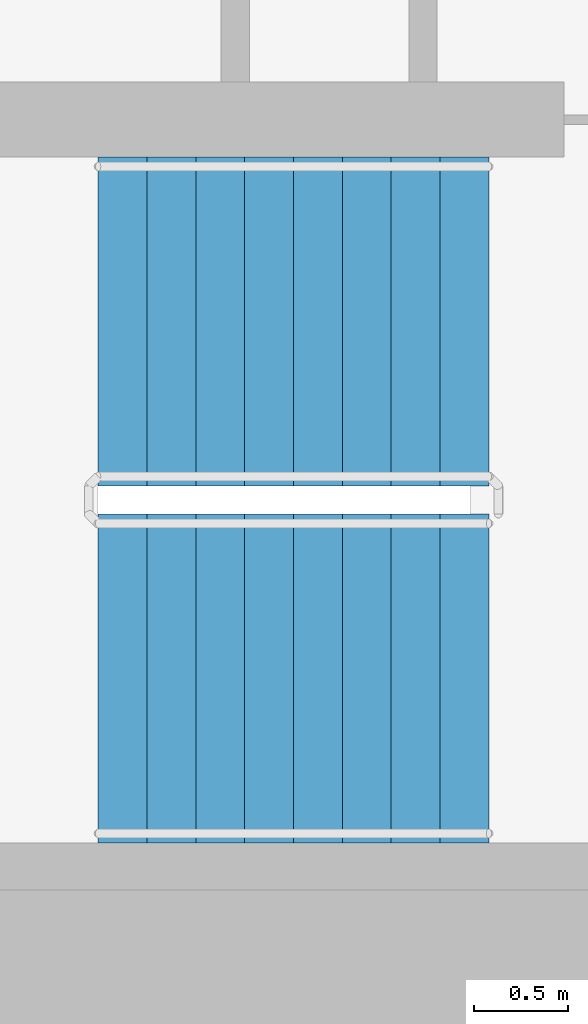
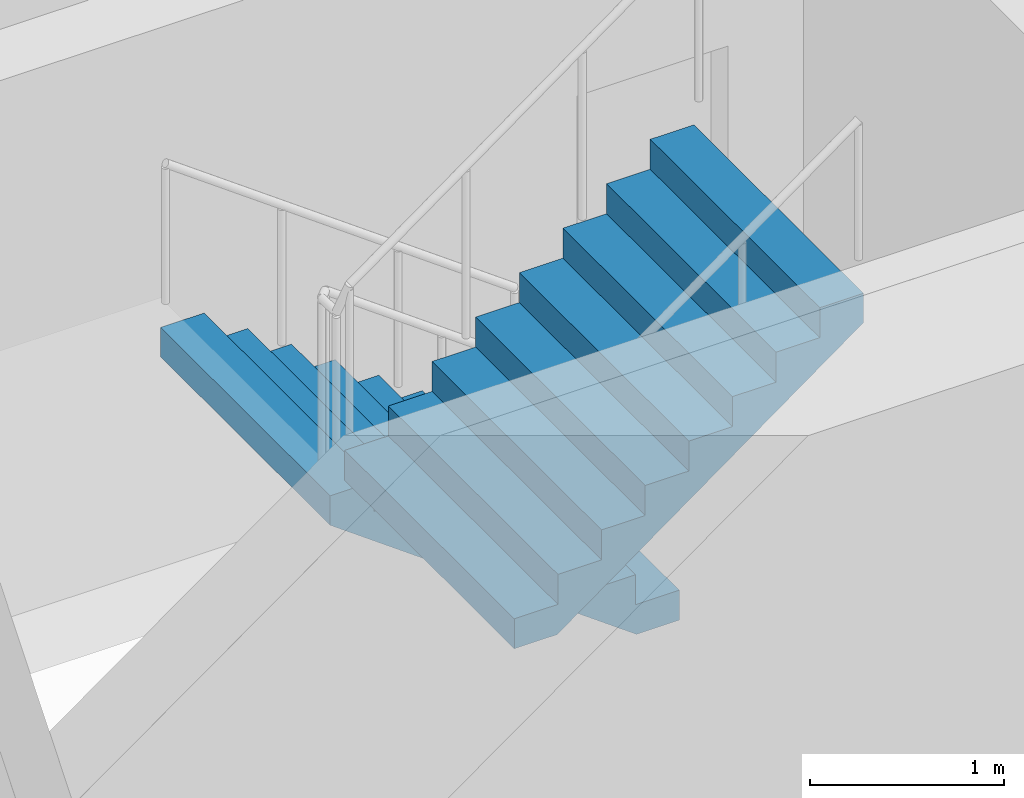
# One storey, part 15 of 21: 2 stair flights, 1 element without a shape of its own.
"""IFC4 building model written with IfcOpenShell, lengths in metres."""

from ifc_helpers import new_model, si_unit, direction, frame, origin, place, context, subcontext, project, spatial, faceted_brep, material, type_object, element, aggregate, save


model = new_model("IFC4")

# Units and contexts
model_context = context("Model", 3, precision=1e-05, world=origin(), true_north=direction((0.0, 1.0)))
body_context = subcontext(model_context, "Body", "Model", "MODEL_VIEW")
ifc_project = project(units=[si_unit("LENGTHUNIT", "METRE"), si_unit("AREAUNIT", "SQUARE_METRE"), si_unit("VOLUMEUNIT", "CUBIC_METRE"), si_unit("PLANEANGLEUNIT", "RADIAN"), si_unit("MASSUNIT", "GRAM", prefix="KILO")], contexts=[model_context])

# Site, building, storey
site_placement = place(None, origin())
site = spatial("IfcSite", under=ifc_project, at=site_placement, CompositionType="ELEMENT")
building_placement = place(site_placement, origin())
building = spatial("IfcBuilding", under=site, at=building_placement, Name="Ipe Terrace Towers", CompositionType="ELEMENT")
storey_placement = place(building_placement, frame((0.0, 0.0, 117.39990234375)))
storey = spatial("IfcBuildingStorey", under=building, at=storey_placement, Name="L32", CompositionType="ELEMENT", Elevation=117.39990234375)

# Stair, stair flights
ifc_material_1 = material(Name="Concrete C30/37", Category="concrete")
stair_type = type_object("IfcStairType", Name="Protected exit stair", PredefinedType="HALF_TURN_STAIR", material=ifc_material_1)
stair_placement = place(storey_placement, origin())
stair = element("IfcStair", 1, at=stair_placement, inside=storey, type_object=stair_type, Name="L32 Exit stair T1-C2", PredefinedType="HALF_TURN_STAIR")
ifc_material_2 = material(Name="Concrete C30/37", Category="concrete")
stair_flight_type = type_object("IfcStairFlightType", Name="Exit stair flight 1750", PredefinedType="STRAIGHT", material=ifc_material_2)
stair_flight_1_placement = place(storey_placement, frame((-45.699951171875, -2.77490234375, 0.0), z_axis=(0.0, 0.0, 1.0), x_axis=(-1.0, 0.0, 0.0)))
stair_flight_1 = element("IfcStairFlight", 2, at=stair_flight_1_placement, type_object=stair_flight_type, Name="T1-ST2 flight 1", NumberOfRisers=9, NumberOfTreads=8, PredefinedType="STRAIGHT", RiserHeight=0.188888889, TreadLength=0.26, context=body_context, shape_type="Brep", body=[
    faceted_brep([(0.255126953125, -0.875, 0.0), (2.080078125, -0.875, 1.325927734375), (2.080078125, -0.875, 1.51123046875), (1.820068359375, -0.875, 1.51123046875), (1.820068359375, -0.875, 1.322265625), (1.56005859375, -0.875, 1.322265625), (1.56005859375, -0.875, 1.13330078125), (1.300048828125, -0.875, 1.13330078125), (1.300048828125, -0.875, 0.9443359375), (1.0400390625, -0.875, 0.9443359375), (1.0400390625, -0.875, 0.755615234375), (0.780029296875, -0.875, 0.755615234375), (0.780029296875, -0.875, 0.566650390625), (0.52001953125, -0.875, 0.566650390625), (0.52001953125, -0.875, 0.377685546875), (0.260009765625, -0.875, 0.377685546875), (0.260009765625, -0.875, 0.18896484375), (0.0, -0.875, 0.18896484375), (0.0, -0.875, 0.0), (0.0, 0.875, 0.0), (0.0, 0.875, 0.18896484375), (0.260009765625, 0.875, 0.18896484375), (0.260009765625, 0.875, 0.377685546875), (0.52001953125, 0.875, 0.377685546875), (0.52001953125, 0.875, 0.566650390625), (0.780029296875, 0.875, 0.566650390625), (0.780029296875, 0.875, 0.755615234375), (1.0400390625, 0.875, 0.755615234375), (1.0400390625, 0.875, 0.9443359375), (1.300048828125, 0.875, 0.9443359375), (1.300048828125, 0.875, 1.13330078125), (1.56005859375, 0.875, 1.13330078125), (1.56005859375, 0.875, 1.322265625), (1.820068359375, 0.875, 1.322265625), (1.820068359375, 0.875, 1.51123046875), (2.080078125, 0.875, 1.51123046875), (2.080078125, 0.875, 1.325927734375), (0.255126953125, 0.875, 0.0), (0.0, -0.300048828125, 0.18896484375), (0.0, -0.1201171875, 0.18896484375), (0.0, -0.06005859375, 0.18896484375), (0.0, -0.030029296875, 0.18896484375), (0.0, -0.010009765625, 0.18896484375), (0.0, 0.0, 0.18896484375), (0.0, 0.010009765625, 0.18896484375), (0.0, 0.030029296875, 0.18896484375), (0.0, 0.06005859375, 0.18896484375), (0.0, 0.1201171875, 0.18896484375), (0.0, 0.300048828125, 0.18896484375), (0.0, 0.300048828125, 0.0), (0.0, 0.1201171875, 0.0), (0.0, 0.06005859375, 0.0), (0.0, 0.030029296875, 0.0), (0.0, 0.010009765625, 0.0), (0.0, 0.0, 0.0), (0.0, -0.010009765625, 0.0), (0.0, -0.030029296875, 0.0), (0.0, -0.06005859375, 0.0), (0.0, -0.1201171875, 0.0), (0.0, -0.300048828125, 0.0), (0.260009765625, -0.300048828125, 0.18896484375), (0.260009765625, -0.1201171875, 0.18896484375), (0.260009765625, -0.06005859375, 0.18896484375), (0.260009765625, -0.030029296875, 0.18896484375), (0.260009765625, -0.010009765625, 0.18896484375), (0.260009765625, 0.0, 0.18896484375), (0.260009765625, 0.010009765625, 0.18896484375), (0.260009765625, 0.030029296875, 0.18896484375), (0.260009765625, 0.06005859375, 0.18896484375), (0.260009765625, 0.1201171875, 0.18896484375), (0.260009765625, 0.300048828125, 0.18896484375), (0.260009765625, -0.300048828125, 0.377685546875), (0.260009765625, -0.1201171875, 0.377685546875), (0.260009765625, -0.06005859375, 0.377685546875), (0.260009765625, -0.030029296875, 0.377685546875), (0.260009765625, -0.010009765625, 0.377685546875), (0.260009765625, 0.0, 0.377685546875), (0.260009765625, 0.010009765625, 0.377685546875), (0.260009765625, 0.030029296875, 0.377685546875), (0.260009765625, 0.06005859375, 0.377685546875), (0.260009765625, 0.1201171875, 0.377685546875), (0.260009765625, 0.300048828125, 0.377685546875), (0.52001953125, -0.300048828125, 0.377685546875), (0.52001953125, -0.1201171875, 0.377685546875), (0.52001953125, -0.06005859375, 0.377685546875), (0.52001953125, -0.030029296875, 0.377685546875), (0.52001953125, -0.010009765625, 0.377685546875), (0.52001953125, 0.0, 0.377685546875), (0.52001953125, 0.010009765625, 0.377685546875), (0.52001953125, 0.030029296875, 0.377685546875), (0.52001953125, 0.06005859375, 0.377685546875), (0.52001953125, 0.1201171875, 0.377685546875), (0.52001953125, 0.300048828125, 0.377685546875), (0.52001953125, -0.300048828125, 0.566650390625), (0.52001953125, -0.1201171875, 0.566650390625), (0.52001953125, -0.06005859375, 0.566650390625), (0.52001953125, -0.030029296875, 0.566650390625), (0.52001953125, -0.010009765625, 0.566650390625), (0.52001953125, 0.0, 0.566650390625), (0.52001953125, 0.010009765625, 0.566650390625), (0.52001953125, 0.030029296875, 0.566650390625), (0.52001953125, 0.06005859375, 0.566650390625), (0.52001953125, 0.1201171875, 0.566650390625), (0.52001953125, 0.300048828125, 0.566650390625), (0.780029296875, -0.300048828125, 0.566650390625), (0.780029296875, -0.1201171875, 0.566650390625), (0.780029296875, -0.06005859375, 0.566650390625), (0.780029296875, -0.030029296875, 0.566650390625), (0.780029296875, -0.010009765625, 0.566650390625), (0.780029296875, 0.0, 0.566650390625), (0.780029296875, 0.010009765625, 0.566650390625), (0.780029296875, 0.030029296875, 0.566650390625), (0.780029296875, 0.06005859375, 0.566650390625), (0.780029296875, 0.1201171875, 0.566650390625), (0.780029296875, 0.300048828125, 0.566650390625), (0.780029296875, -0.300048828125, 0.755615234375), (0.780029296875, -0.1201171875, 0.755615234375), (0.780029296875, -0.06005859375, 0.755615234375), (0.780029296875, -0.030029296875, 0.755615234375), (0.780029296875, -0.010009765625, 0.755615234375), (0.780029296875, 0.0, 0.755615234375), (0.780029296875, 0.010009765625, 0.755615234375), (0.780029296875, 0.030029296875, 0.755615234375), (0.780029296875, 0.06005859375, 0.755615234375), (0.780029296875, 0.1201171875, 0.755615234375), (0.780029296875, 0.300048828125, 0.755615234375), (1.0400390625, -0.300048828125, 0.755615234375), (1.0400390625, -0.1201171875, 0.755615234375), (1.0400390625, -0.06005859375, 0.755615234375), (1.0400390625, -0.030029296875, 0.755615234375), (1.0400390625, -0.010009765625, 0.755615234375), (1.0400390625, 0.0, 0.755615234375), (1.0400390625, 0.010009765625, 0.755615234375), (1.0400390625, 0.030029296875, 0.755615234375), (1.0400390625, 0.06005859375, 0.755615234375), (1.0400390625, 0.1201171875, 0.755615234375), (1.0400390625, 0.300048828125, 0.755615234375), (1.0400390625, -0.300048828125, 0.9443359375), (1.0400390625, -0.1201171875, 0.9443359375), (1.0400390625, -0.06005859375, 0.9443359375), (1.0400390625, -0.030029296875, 0.9443359375), (1.0400390625, -0.010009765625, 0.9443359375), (1.0400390625, 0.0, 0.9443359375), (1.0400390625, 0.010009765625, 0.9443359375), (1.0400390625, 0.030029296875, 0.9443359375), (1.0400390625, 0.06005859375, 0.9443359375), (1.0400390625, 0.1201171875, 0.9443359375), (1.0400390625, 0.300048828125, 0.9443359375), (1.300048828125, -0.300048828125, 0.9443359375), (1.300048828125, -0.1201171875, 0.9443359375), (1.300048828125, -0.06005859375, 0.9443359375), (1.300048828125, -0.030029296875, 0.9443359375), (1.300048828125, -0.010009765625, 0.9443359375), (1.300048828125, 0.0, 0.9443359375), (1.300048828125, 0.010009765625, 0.9443359375), (1.300048828125, 0.030029296875, 0.9443359375), (1.300048828125, 0.06005859375, 0.9443359375), (1.300048828125, 0.1201171875, 0.9443359375), (1.300048828125, 0.300048828125, 0.9443359375), (1.300048828125, -0.300048828125, 1.13330078125), (1.300048828125, -0.1201171875, 1.13330078125), (1.300048828125, -0.06005859375, 1.13330078125), (1.300048828125, -0.030029296875, 1.13330078125), (1.300048828125, -0.010009765625, 1.13330078125), (1.300048828125, 0.0, 1.13330078125), (1.300048828125, 0.010009765625, 1.13330078125), (1.300048828125, 0.030029296875, 1.13330078125), (1.300048828125, 0.06005859375, 1.13330078125), (1.300048828125, 0.1201171875, 1.13330078125), (1.300048828125, 0.300048828125, 1.13330078125), (1.56005859375, -0.300048828125, 1.13330078125), (1.56005859375, -0.1201171875, 1.13330078125), (1.56005859375, -0.06005859375, 1.13330078125), (1.56005859375, -0.030029296875, 1.13330078125), (1.56005859375, -0.010009765625, 1.13330078125), (1.56005859375, 0.0, 1.13330078125), (1.56005859375, 0.010009765625, 1.13330078125), (1.56005859375, 0.030029296875, 1.13330078125), (1.56005859375, 0.06005859375, 1.13330078125), (1.56005859375, 0.1201171875, 1.13330078125), (1.56005859375, 0.300048828125, 1.13330078125), (1.56005859375, -0.300048828125, 1.322265625), (1.56005859375, -0.1201171875, 1.322265625), (1.56005859375, -0.06005859375, 1.322265625), (1.56005859375, -0.030029296875, 1.322265625), (1.56005859375, -0.010009765625, 1.322265625), (1.56005859375, 0.0, 1.322265625), (1.56005859375, 0.010009765625, 1.322265625), (1.56005859375, 0.030029296875, 1.322265625), (1.56005859375, 0.06005859375, 1.322265625), (1.56005859375, 0.1201171875, 1.322265625), (1.56005859375, 0.300048828125, 1.322265625), (1.820068359375, -0.300048828125, 1.322265625), (1.820068359375, -0.1201171875, 1.322265625), (1.820068359375, -0.06005859375, 1.322265625), (1.820068359375, -0.030029296875, 1.322265625), (1.820068359375, -0.010009765625, 1.322265625), (1.820068359375, 0.0, 1.322265625), (1.820068359375, 0.010009765625, 1.322265625), (1.820068359375, 0.030029296875, 1.322265625), (1.820068359375, 0.06005859375, 1.322265625), (1.820068359375, 0.1201171875, 1.322265625), (1.820068359375, 0.300048828125, 1.322265625), (1.820068359375, -0.300048828125, 1.51123046875), (1.820068359375, -0.1201171875, 1.51123046875), (1.820068359375, -0.06005859375, 1.51123046875), (1.820068359375, -0.030029296875, 1.51123046875), (1.820068359375, -0.010009765625, 1.51123046875), (1.820068359375, 0.0, 1.51123046875), (1.820068359375, 0.010009765625, 1.51123046875), (1.820068359375, 0.030029296875, 1.51123046875), (1.820068359375, 0.06005859375, 1.51123046875), (1.820068359375, 0.1201171875, 1.51123046875), (1.820068359375, 0.300048828125, 1.51123046875), (2.080078125, -0.300048828125, 1.51123046875), (2.080078125, -0.1201171875, 1.51123046875), (2.080078125, -0.06005859375, 1.51123046875), (2.080078125, -0.030029296875, 1.51123046875), (2.080078125, -0.010009765625, 1.51123046875), (2.080078125, 0.0, 1.51123046875), (2.080078125, 0.010009765625, 1.51123046875), (2.080078125, 0.030029296875, 1.51123046875), (2.080078125, 0.06005859375, 1.51123046875), (2.080078125, 0.1201171875, 1.51123046875), (2.080078125, 0.300048828125, 1.51123046875), (2.080078125, -0.300048828125, 1.325927734375), (2.080078125, -0.1201171875, 1.325927734375), (2.080078125, -0.06005859375, 1.325927734375), (2.080078125, -0.030029296875, 1.325927734375), (2.080078125, -0.010009765625, 1.325927734375), (2.080078125, 0.0, 1.325927734375), (2.080078125, 0.010009765625, 1.325927734375), (2.080078125, 0.030029296875, 1.325927734375), (2.080078125, 0.06005859375, 1.325927734375), (2.080078125, 0.1201171875, 1.325927734375), (2.080078125, 0.300048828125, 1.325927734375), (0.255126953125, -0.300048828125, 0.0), (0.255126953125, -0.1201171875, 0.0), (0.255126953125, -0.06005859375, 0.0), (0.255126953125, -0.030029296875, 0.0), (0.255126953125, -0.010009765625, 0.0), (0.255126953125, 0.0, 0.0), (0.255126953125, 0.010009765625, 0.0), (0.255126953125, 0.030029296875, 0.0), (0.255126953125, 0.06005859375, 0.0), (0.255126953125, 0.1201171875, 0.0), (0.255126953125, 0.300048828125, 0.0)], [[[0, 1, 2, 3, 4, 5, 6, 7, 8, 9, 10, 11, 12, 13, 14, 15, 16, 17, 18]], [[19, 20, 21, 22, 23, 24, 25, 26, 27, 28, 29, 30, 31, 32, 33, 34, 35, 36, 37]], [[17, 38, 39, 40, 41, 42, 43, 44, 45, 46, 47, 48, 20, 19, 49, 50, 51, 52, 53, 54, 55, 56, 57, 58, 59, 18]], [[16, 60, 61, 62, 63, 64, 65, 66, 67, 68, 69, 70, 21, 20, 48, 47, 46, 45, 44, 43, 42, 41, 40, 39, 38, 17]], [[15, 71, 72, 73, 74, 75, 76, 77, 78, 79, 80, 81, 22, 21, 70, 69, 68, 67, 66, 65, 64, 63, 62, 61, 60, 16]], [[14, 82, 83, 84, 85, 86, 87, 88, 89, 90, 91, 92, 23, 22, 81, 80, 79, 78, 77, 76, 75, 74, 73, 72, 71, 15]], [[13, 93, 94, 95, 96, 97, 98, 99, 100, 101, 102, 103, 24, 23, 92, 91, 90, 89, 88, 87, 86, 85, 84, 83, 82, 14]], [[12, 104, 105, 106, 107, 108, 109, 110, 111, 112, 113, 114, 25, 24, 103, 102, 101, 100, 99, 98, 97, 96, 95, 94, 93, 13]], [[11, 115, 116, 117, 118, 119, 120, 121, 122, 123, 124, 125, 26, 25, 114, 113, 112, 111, 110, 109, 108, 107, 106, 105, 104, 12]], [[10, 126, 127, 128, 129, 130, 131, 132, 133, 134, 135, 136, 27, 26, 125, 124, 123, 122, 121, 120, 119, 118, 117, 116, 115, 11]], [[9, 137, 138, 139, 140, 141, 142, 143, 144, 145, 146, 147, 28, 27, 136, 135, 134, 133, 132, 131, 130, 129, 128, 127, 126, 10]], [[8, 148, 149, 150, 151, 152, 153, 154, 155, 156, 157, 158, 29, 28, 147, 146, 145, 144, 143, 142, 141, 140, 139, 138, 137, 9]], [[7, 159, 160, 161, 162, 163, 164, 165, 166, 167, 168, 169, 30, 29, 158, 157, 156, 155, 154, 153, 152, 151, 150, 149, 148, 8]], [[6, 170, 171, 172, 173, 174, 175, 176, 177, 178, 179, 180, 31, 30, 169, 168, 167, 166, 165, 164, 163, 162, 161, 160, 159, 7]], [[5, 181, 182, 183, 184, 185, 186, 187, 188, 189, 190, 191, 32, 31, 180, 179, 178, 177, 176, 175, 174, 173, 172, 171, 170, 6]], [[4, 192, 193, 194, 195, 196, 197, 198, 199, 200, 201, 202, 33, 32, 191, 190, 189, 188, 187, 186, 185, 184, 183, 182, 181, 5]], [[3, 203, 204, 205, 206, 207, 208, 209, 210, 211, 212, 213, 34, 33, 202, 201, 200, 199, 198, 197, 196, 195, 194, 193, 192, 4]], [[2, 214, 215, 216, 217, 218, 219, 220, 221, 222, 223, 224, 35, 34, 213, 212, 211, 210, 209, 208, 207, 206, 205, 204, 203, 3]], [[1, 225, 226, 227, 228, 229, 230, 231, 232, 233, 234, 235, 36, 35, 224, 223, 222, 221, 220, 219, 218, 217, 216, 215, 214, 2]], [[0, 236, 237, 238, 239, 240, 241, 242, 243, 244, 245, 246, 37, 36, 235, 234, 233, 232, 231, 230, 229, 228, 227, 226, 225, 1]], [[18, 59, 58, 57, 56, 55, 54, 53, 52, 51, 50, 49, 19, 37, 246, 245, 244, 243, 242, 241, 240, 239, 238, 237, 236, 0]]]),
])
stair_flight_2_placement = place(storey_placement, frame((-47.780029296875, -4.675048828125, 1.7001953125), z_axis=(0.0, 0.0, 1.0), x_axis=(1.0, 0.0, 0.0)))
stair_flight_2 = element("IfcStairFlight", 3, at=stair_flight_2_placement, type_object=stair_flight_type, Name="T1-ST2 flight 2", NumberOfRisers=9, NumberOfTreads=8, PredefinedType="STRAIGHT", RiserHeight=0.188888889, TreadLength=0.26, context=body_context, shape_type="Brep", body=[
    faceted_brep([(0.255126953125, -0.875, 0.0), (2.080078125, -0.875, 1.325927734375), (2.080078125, -0.875, 1.51123046875), (1.820068359375, -0.875, 1.51123046875), (1.820068359375, -0.875, 1.322265625), (1.56005859375, -0.875, 1.322265625), (1.56005859375, -0.875, 1.13330078125), (1.300048828125, -0.875, 1.13330078125), (1.300048828125, -0.875, 0.9443359375), (1.0400390625, -0.875, 0.9443359375), (1.0400390625, -0.875, 0.755615234375), (0.780029296875, -0.875, 0.755615234375), (0.780029296875, -0.875, 0.566650390625), (0.52001953125, -0.875, 0.566650390625), (0.52001953125, -0.875, 0.377685546875), (0.260009765625, -0.875, 0.377685546875), (0.260009765625, -0.875, 0.18896484375), (0.0, -0.875, 0.18896484375), (0.0, -0.875, 0.0), (0.0, 0.875, 0.0), (0.0, 0.875, 0.18896484375), (0.260009765625, 0.875, 0.18896484375), (0.260009765625, 0.875, 0.377685546875), (0.52001953125, 0.875, 0.377685546875), (0.52001953125, 0.875, 0.566650390625), (0.780029296875, 0.875, 0.566650390625), (0.780029296875, 0.875, 0.755615234375), (1.0400390625, 0.875, 0.755615234375), (1.0400390625, 0.875, 0.9443359375), (1.300048828125, 0.875, 0.9443359375), (1.300048828125, 0.875, 1.13330078125), (1.56005859375, 0.875, 1.13330078125), (1.56005859375, 0.875, 1.322265625), (1.820068359375, 0.875, 1.322265625), (1.820068359375, 0.875, 1.51123046875), (2.080078125, 0.875, 1.51123046875), (2.080078125, 0.875, 1.325927734375), (0.255126953125, 0.875, 0.0), (0.0, -0.300048828125, 0.18896484375), (0.0, -0.1201171875, 0.18896484375), (0.0, -0.06005859375, 0.18896484375), (0.0, -0.030029296875, 0.18896484375), (0.0, -0.010009765625, 0.18896484375), (0.0, 0.0, 0.18896484375), (0.0, 0.010009765625, 0.18896484375), (0.0, 0.030029296875, 0.18896484375), (0.0, 0.06005859375, 0.18896484375), (0.0, 0.1201171875, 0.18896484375), (0.0, 0.300048828125, 0.18896484375), (0.0, 0.300048828125, 0.0), (0.0, 0.1201171875, 0.0), (0.0, 0.06005859375, 0.0), (0.0, 0.030029296875, 0.0), (0.0, 0.010009765625, 0.0), (0.0, 0.0, 0.0), (0.0, -0.010009765625, 0.0), (0.0, -0.030029296875, 0.0), (0.0, -0.06005859375, 0.0), (0.0, -0.1201171875, 0.0), (0.0, -0.300048828125, 0.0), (0.260009765625, -0.300048828125, 0.18896484375), (0.260009765625, -0.1201171875, 0.18896484375), (0.260009765625, -0.06005859375, 0.18896484375), (0.260009765625, -0.030029296875, 0.18896484375), (0.260009765625, -0.010009765625, 0.18896484375), (0.260009765625, 0.0, 0.18896484375), (0.260009765625, 0.010009765625, 0.18896484375), (0.260009765625, 0.030029296875, 0.18896484375), (0.260009765625, 0.06005859375, 0.18896484375), (0.260009765625, 0.1201171875, 0.18896484375), (0.260009765625, 0.300048828125, 0.18896484375), (0.260009765625, -0.300048828125, 0.377685546875), (0.260009765625, -0.1201171875, 0.377685546875), (0.260009765625, -0.06005859375, 0.377685546875), (0.260009765625, -0.030029296875, 0.377685546875), (0.260009765625, -0.010009765625, 0.377685546875), (0.260009765625, 0.0, 0.377685546875), (0.260009765625, 0.010009765625, 0.377685546875), (0.260009765625, 0.030029296875, 0.377685546875), (0.260009765625, 0.06005859375, 0.377685546875), (0.260009765625, 0.1201171875, 0.377685546875), (0.260009765625, 0.300048828125, 0.377685546875), (0.52001953125, -0.300048828125, 0.377685546875), (0.52001953125, -0.1201171875, 0.377685546875), (0.52001953125, -0.06005859375, 0.377685546875), (0.52001953125, -0.030029296875, 0.377685546875), (0.52001953125, -0.010009765625, 0.377685546875), (0.52001953125, 0.0, 0.377685546875), (0.52001953125, 0.010009765625, 0.377685546875), (0.52001953125, 0.030029296875, 0.377685546875), (0.52001953125, 0.06005859375, 0.377685546875), (0.52001953125, 0.1201171875, 0.377685546875), (0.52001953125, 0.300048828125, 0.377685546875), (0.52001953125, -0.300048828125, 0.566650390625), (0.52001953125, -0.1201171875, 0.566650390625), (0.52001953125, -0.06005859375, 0.566650390625), (0.52001953125, -0.030029296875, 0.566650390625), (0.52001953125, -0.010009765625, 0.566650390625), (0.52001953125, 0.0, 0.566650390625), (0.52001953125, 0.010009765625, 0.566650390625), (0.52001953125, 0.030029296875, 0.566650390625), (0.52001953125, 0.06005859375, 0.566650390625), (0.52001953125, 0.1201171875, 0.566650390625), (0.52001953125, 0.300048828125, 0.566650390625), (0.780029296875, -0.300048828125, 0.566650390625), (0.780029296875, -0.1201171875, 0.566650390625), (0.780029296875, -0.06005859375, 0.566650390625), (0.780029296875, -0.030029296875, 0.566650390625), (0.780029296875, -0.010009765625, 0.566650390625), (0.780029296875, 0.0, 0.566650390625), (0.780029296875, 0.010009765625, 0.566650390625), (0.780029296875, 0.030029296875, 0.566650390625), (0.780029296875, 0.06005859375, 0.566650390625), (0.780029296875, 0.1201171875, 0.566650390625), (0.780029296875, 0.300048828125, 0.566650390625), (0.780029296875, -0.300048828125, 0.755615234375), (0.780029296875, -0.1201171875, 0.755615234375), (0.780029296875, -0.06005859375, 0.755615234375), (0.780029296875, -0.030029296875, 0.755615234375), (0.780029296875, -0.010009765625, 0.755615234375), (0.780029296875, 0.0, 0.755615234375), (0.780029296875, 0.010009765625, 0.755615234375), (0.780029296875, 0.030029296875, 0.755615234375), (0.780029296875, 0.06005859375, 0.755615234375), (0.780029296875, 0.1201171875, 0.755615234375), (0.780029296875, 0.300048828125, 0.755615234375), (1.0400390625, -0.300048828125, 0.755615234375), (1.0400390625, -0.1201171875, 0.755615234375), (1.0400390625, -0.06005859375, 0.755615234375), (1.0400390625, -0.030029296875, 0.755615234375), (1.0400390625, -0.010009765625, 0.755615234375), (1.0400390625, 0.0, 0.755615234375), (1.0400390625, 0.010009765625, 0.755615234375), (1.0400390625, 0.030029296875, 0.755615234375), (1.0400390625, 0.06005859375, 0.755615234375), (1.0400390625, 0.1201171875, 0.755615234375), (1.0400390625, 0.300048828125, 0.755615234375), (1.0400390625, -0.300048828125, 0.9443359375), (1.0400390625, -0.1201171875, 0.9443359375), (1.0400390625, -0.06005859375, 0.9443359375), (1.0400390625, -0.030029296875, 0.9443359375), (1.0400390625, -0.010009765625, 0.9443359375), (1.0400390625, 0.0, 0.9443359375), (1.0400390625, 0.010009765625, 0.9443359375), (1.0400390625, 0.030029296875, 0.9443359375), (1.0400390625, 0.06005859375, 0.9443359375), (1.0400390625, 0.1201171875, 0.9443359375), (1.0400390625, 0.300048828125, 0.9443359375), (1.300048828125, -0.300048828125, 0.9443359375), (1.300048828125, -0.1201171875, 0.9443359375), (1.300048828125, -0.06005859375, 0.9443359375), (1.300048828125, -0.030029296875, 0.9443359375), (1.300048828125, -0.010009765625, 0.9443359375), (1.300048828125, 0.0, 0.9443359375), (1.300048828125, 0.010009765625, 0.9443359375), (1.300048828125, 0.030029296875, 0.9443359375), (1.300048828125, 0.06005859375, 0.9443359375), (1.300048828125, 0.1201171875, 0.9443359375), (1.300048828125, 0.300048828125, 0.9443359375), (1.300048828125, -0.300048828125, 1.13330078125), (1.300048828125, -0.1201171875, 1.13330078125), (1.300048828125, -0.06005859375, 1.13330078125), (1.300048828125, -0.030029296875, 1.13330078125), (1.300048828125, -0.010009765625, 1.13330078125), (1.300048828125, 0.0, 1.13330078125), (1.300048828125, 0.010009765625, 1.13330078125), (1.300048828125, 0.030029296875, 1.13330078125), (1.300048828125, 0.06005859375, 1.13330078125), (1.300048828125, 0.1201171875, 1.13330078125), (1.300048828125, 0.300048828125, 1.13330078125), (1.56005859375, -0.300048828125, 1.13330078125), (1.56005859375, -0.1201171875, 1.13330078125), (1.56005859375, -0.06005859375, 1.13330078125), (1.56005859375, -0.030029296875, 1.13330078125), (1.56005859375, -0.010009765625, 1.13330078125), (1.56005859375, 0.0, 1.13330078125), (1.56005859375, 0.010009765625, 1.13330078125), (1.56005859375, 0.030029296875, 1.13330078125), (1.56005859375, 0.06005859375, 1.13330078125), (1.56005859375, 0.1201171875, 1.13330078125), (1.56005859375, 0.300048828125, 1.13330078125), (1.56005859375, -0.300048828125, 1.322265625), (1.56005859375, -0.1201171875, 1.322265625), (1.56005859375, -0.06005859375, 1.322265625), (1.56005859375, -0.030029296875, 1.322265625), (1.56005859375, -0.010009765625, 1.322265625), (1.56005859375, 0.0, 1.322265625), (1.56005859375, 0.010009765625, 1.322265625), (1.56005859375, 0.030029296875, 1.322265625), (1.56005859375, 0.06005859375, 1.322265625), (1.56005859375, 0.1201171875, 1.322265625), (1.56005859375, 0.300048828125, 1.322265625), (1.820068359375, -0.300048828125, 1.322265625), (1.820068359375, -0.1201171875, 1.322265625), (1.820068359375, -0.06005859375, 1.322265625), (1.820068359375, -0.030029296875, 1.322265625), (1.820068359375, -0.010009765625, 1.322265625), (1.820068359375, 0.0, 1.322265625), (1.820068359375, 0.010009765625, 1.322265625), (1.820068359375, 0.030029296875, 1.322265625), (1.820068359375, 0.06005859375, 1.322265625), (1.820068359375, 0.1201171875, 1.322265625), (1.820068359375, 0.300048828125, 1.322265625), (1.820068359375, -0.300048828125, 1.51123046875), (1.820068359375, -0.1201171875, 1.51123046875), (1.820068359375, -0.06005859375, 1.51123046875), (1.820068359375, -0.030029296875, 1.51123046875), (1.820068359375, -0.010009765625, 1.51123046875), (1.820068359375, 0.0, 1.51123046875), (1.820068359375, 0.010009765625, 1.51123046875), (1.820068359375, 0.030029296875, 1.51123046875), (1.820068359375, 0.06005859375, 1.51123046875), (1.820068359375, 0.1201171875, 1.51123046875), (1.820068359375, 0.300048828125, 1.51123046875), (2.080078125, -0.300048828125, 1.51123046875), (2.080078125, -0.1201171875, 1.51123046875), (2.080078125, -0.06005859375, 1.51123046875), (2.080078125, -0.030029296875, 1.51123046875), (2.080078125, -0.010009765625, 1.51123046875), (2.080078125, 0.0, 1.51123046875), (2.080078125, 0.010009765625, 1.51123046875), (2.080078125, 0.030029296875, 1.51123046875), (2.080078125, 0.06005859375, 1.51123046875), (2.080078125, 0.1201171875, 1.51123046875), (2.080078125, 0.300048828125, 1.51123046875), (2.080078125, -0.300048828125, 1.325927734375), (2.080078125, -0.1201171875, 1.325927734375), (2.080078125, -0.06005859375, 1.325927734375), (2.080078125, -0.030029296875, 1.325927734375), (2.080078125, -0.010009765625, 1.325927734375), (2.080078125, 0.0, 1.325927734375), (2.080078125, 0.010009765625, 1.325927734375), (2.080078125, 0.030029296875, 1.325927734375), (2.080078125, 0.06005859375, 1.325927734375), (2.080078125, 0.1201171875, 1.325927734375), (2.080078125, 0.300048828125, 1.325927734375), (0.255126953125, -0.300048828125, 0.0), (0.255126953125, -0.1201171875, 0.0), (0.255126953125, -0.06005859375, 0.0), (0.255126953125, -0.030029296875, 0.0), (0.255126953125, -0.010009765625, 0.0), (0.255126953125, 0.0, 0.0), (0.255126953125, 0.010009765625, 0.0), (0.255126953125, 0.030029296875, 0.0), (0.255126953125, 0.06005859375, 0.0), (0.255126953125, 0.1201171875, 0.0), (0.255126953125, 0.300048828125, 0.0)], [[[0, 1, 2, 3, 4, 5, 6, 7, 8, 9, 10, 11, 12, 13, 14, 15, 16, 17, 18]], [[19, 20, 21, 22, 23, 24, 25, 26, 27, 28, 29, 30, 31, 32, 33, 34, 35, 36, 37]], [[17, 38, 39, 40, 41, 42, 43, 44, 45, 46, 47, 48, 20, 19, 49, 50, 51, 52, 53, 54, 55, 56, 57, 58, 59, 18]], [[16, 60, 61, 62, 63, 64, 65, 66, 67, 68, 69, 70, 21, 20, 48, 47, 46, 45, 44, 43, 42, 41, 40, 39, 38, 17]], [[15, 71, 72, 73, 74, 75, 76, 77, 78, 79, 80, 81, 22, 21, 70, 69, 68, 67, 66, 65, 64, 63, 62, 61, 60, 16]], [[14, 82, 83, 84, 85, 86, 87, 88, 89, 90, 91, 92, 23, 22, 81, 80, 79, 78, 77, 76, 75, 74, 73, 72, 71, 15]], [[13, 93, 94, 95, 96, 97, 98, 99, 100, 101, 102, 103, 24, 23, 92, 91, 90, 89, 88, 87, 86, 85, 84, 83, 82, 14]], [[12, 104, 105, 106, 107, 108, 109, 110, 111, 112, 113, 114, 25, 24, 103, 102, 101, 100, 99, 98, 97, 96, 95, 94, 93, 13]], [[11, 115, 116, 117, 118, 119, 120, 121, 122, 123, 124, 125, 26, 25, 114, 113, 112, 111, 110, 109, 108, 107, 106, 105, 104, 12]], [[10, 126, 127, 128, 129, 130, 131, 132, 133, 134, 135, 136, 27, 26, 125, 124, 123, 122, 121, 120, 119, 118, 117, 116, 115, 11]], [[9, 137, 138, 139, 140, 141, 142, 143, 144, 145, 146, 147, 28, 27, 136, 135, 134, 133, 132, 131, 130, 129, 128, 127, 126, 10]], [[8, 148, 149, 150, 151, 152, 153, 154, 155, 156, 157, 158, 29, 28, 147, 146, 145, 144, 143, 142, 141, 140, 139, 138, 137, 9]], [[7, 159, 160, 161, 162, 163, 164, 165, 166, 167, 168, 169, 30, 29, 158, 157, 156, 155, 154, 153, 152, 151, 150, 149, 148, 8]], [[6, 170, 171, 172, 173, 174, 175, 176, 177, 178, 179, 180, 31, 30, 169, 168, 167, 166, 165, 164, 163, 162, 161, 160, 159, 7]], [[5, 181, 182, 183, 184, 185, 186, 187, 188, 189, 190, 191, 32, 31, 180, 179, 178, 177, 176, 175, 174, 173, 172, 171, 170, 6]], [[4, 192, 193, 194, 195, 196, 197, 198, 199, 200, 201, 202, 33, 32, 191, 190, 189, 188, 187, 186, 185, 184, 183, 182, 181, 5]], [[3, 203, 204, 205, 206, 207, 208, 209, 210, 211, 212, 213, 34, 33, 202, 201, 200, 199, 198, 197, 196, 195, 194, 193, 192, 4]], [[2, 214, 215, 216, 217, 218, 219, 220, 221, 222, 223, 224, 35, 34, 213, 212, 211, 210, 209, 208, 207, 206, 205, 204, 203, 3]], [[1, 225, 226, 227, 228, 229, 230, 231, 232, 233, 234, 235, 36, 35, 224, 223, 222, 221, 220, 219, 218, 217, 216, 215, 214, 2]], [[0, 236, 237, 238, 239, 240, 241, 242, 243, 244, 245, 246, 37, 36, 235, 234, 233, 232, 231, 230, 229, 228, 227, 226, 225, 1]], [[18, 59, 58, 57, 56, 55, 54, 53, 52, 51, 50, 49, 19, 37, 246, 245, 244, 243, 242, 241, 240, 239, 238, 237, 236, 0]]]),
])
aggregate(stair, [stair_flight_1, stair_flight_2])

save(model, "model.ifc")
